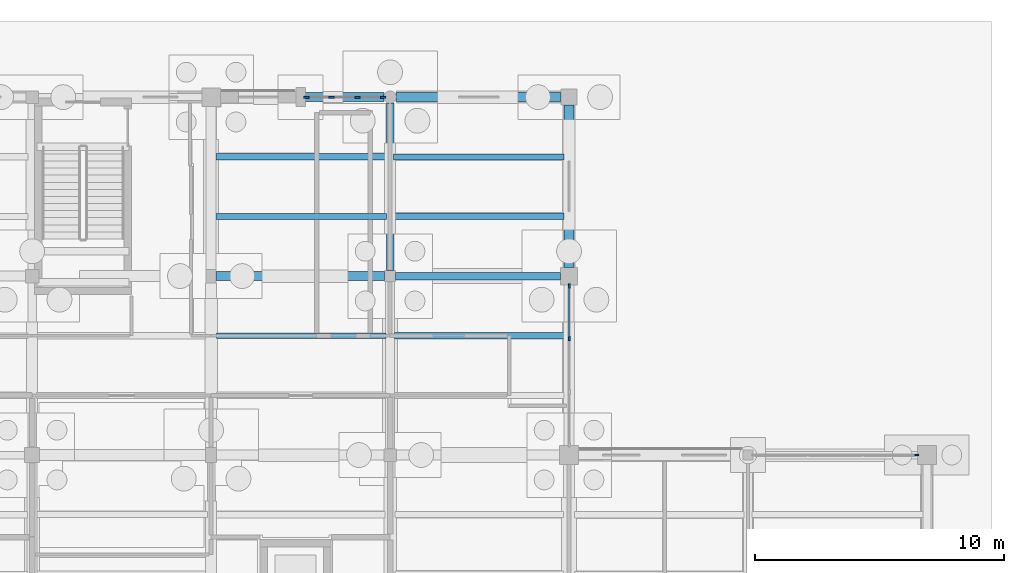
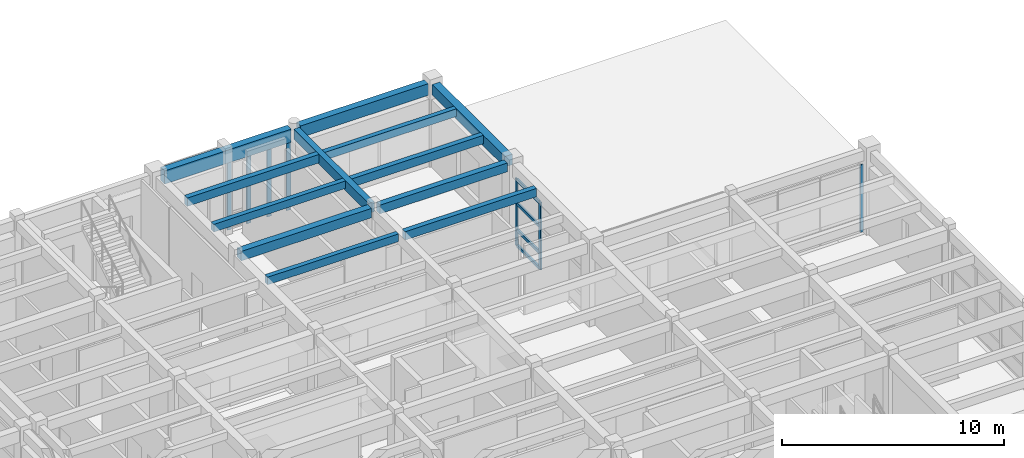
# One storey, part 75 of 143: 12 beams, 11 members, 3 elements without a shape of their own.
"""IFC4 building model written with IfcOpenShell, lengths in metres."""

from ifc_helpers import new_model, si_unit, direction, frame, origin, origin_2d, place, context, subcontext, project, spatial, rectangle, extrude, material, material_profile, profile_set, type_object, element, aggregate, save


model = new_model("IFC4")

# Units and contexts
model_context = context("Model", 3, precision=1e-05, world=origin(), true_north=direction((0.0, 1.0)))
body_context = subcontext(model_context, "Body", "Model", "MODEL_VIEW")
ifc_project = project(units=[si_unit("LENGTHUNIT", "METRE"), si_unit("AREAUNIT", "SQUARE_METRE"), si_unit("VOLUMEUNIT", "CUBIC_METRE"), si_unit("PLANEANGLEUNIT", "RADIAN"), si_unit("MASSUNIT", "GRAM", prefix="KILO")], contexts=[model_context])

# Site, building, storey
site_placement = place(None, origin())
site = spatial("IfcSite", under=ifc_project, at=site_placement, CompositionType="ELEMENT")
building_placement = place(site_placement, origin())
building = spatial("IfcBuilding", under=site, at=building_placement, Name="Steenspoor Specialist Clinic", CompositionType="ELEMENT")
storey_placement = place(building_placement, origin())
storey = spatial("IfcBuildingStorey", under=building, at=storey_placement, Name="L00", CompositionType="ELEMENT", Elevation=0.0)

# Beams
ifc_material_1 = material(Name="Concrete C35/45", Category="concrete")
ifc_material_profile_1 = material_profile(ifc_material_1, rectangle(XDim=0.300048828125, YDim=0.47998046875, at=origin_2d()), Name="RC-BM-300X480")
ifc_profile_set_1 = profile_set([ifc_material_profile_1], Name="Concrete C35/45")
beam_type_1 = type_object("IfcBeamType", Name="BM-RC-300X480", PredefinedType="BEAM", material=ifc_profile_set_1)
beam_1_placement = place(storey_placement, frame((139.820068359375, 101.14990234375, 4.280029296875), z_axis=(1.0, 0.0, 0.0), x_axis=(0.0, 1.0, 0.0)))
element("IfcBeam", 1, at=beam_1_placement, inside=storey, type_object=beam_type_1, Name="BM-V6-L00-X1386", PredefinedType="BEAM", context=body_context, shape_type="SweptSolid", body=[
    extrude(rectangle(XDim=0.300048828125, YDim=0.47998046875, at=origin_2d()), origin(), (0.0, 0.0, 1.0), 6.635009765625),
])
ifc_material_profile_2 = material_profile(ifc_material_1, rectangle(XDim=0.300048828125, YDim=0.550048828125, at=origin_2d()), Name="RC-BM-300X550")
ifc_profile_set_2 = profile_set([ifc_material_profile_2], Name="Concrete C35/45")
beam_type_2 = type_object("IfcBeamType", Name="BM-RC-300X550", PredefinedType="BEAM", material=ifc_profile_set_2)
beam_2_placement = place(storey_placement, frame((139.60009765625, 101.3701171875, 4.2451171875), z_axis=(0.0, 1.0, 0.0), x_axis=(-1.0, 0.0, 0.0)))
element("IfcBeam", 2, at=beam_2_placement, inside=storey, type_object=beam_type_2, Name="BM-V6-L00-Y1413", PredefinedType="BEAM", context=body_context, shape_type="SweptSolid", body=[
    extrude(rectangle(XDim=0.300048828125, YDim=0.550048828125, at=origin_2d()), origin(), (0.0, 0.0, 1.0), 6.73486328125),
])
ifc_material_profile_3 = material_profile(ifc_material_1, rectangle(XDim=0.35009765625, YDim=0.52001953125, at=origin_2d()), Name="RC-BM-350X520")
ifc_profile_set_3 = profile_set([ifc_material_profile_3], Name="Concrete C35/45")
beam_type_3 = type_object("IfcBeamType", Name="BM-RC-350X520", PredefinedType="BEAM", material=ifc_profile_set_3)
beam_3_placement = place(storey_placement, frame((132.594970703125, 101.14990234375, 4.260009765625), z_axis=(1.0, 0.0, 0.0), x_axis=(0.0, 1.0, 0.0)))
element("IfcBeam", 3, at=beam_3_placement, inside=storey, type_object=beam_type_3, Name="BM-V6-L00-X1385", PredefinedType="BEAM", context=body_context, shape_type="SweptSolid", body=[
    extrude(rectangle(XDim=0.35009765625, YDim=0.52001953125, at=origin_2d()), origin(), (0.0, 0.0, 1.0), 6.784912109375),
])
ifc_material_profile_4 = material_profile(ifc_material_1, rectangle(XDim=0.39990234375, YDim=0.580078125, at=origin_2d()), Name="RC-BM-400X580")
ifc_profile_set_4 = profile_set([ifc_material_profile_4], Name="Concrete C35/45")
beam_type_4 = type_object("IfcBeamType", Name="BM-RC-400X580", PredefinedType="BEAM", material=ifc_profile_set_4)
beam_4_placement = place(storey_placement, frame((146.800048828125, 101.4951171875, 4.22998046875), z_axis=(0.0, 1.0, 0.0), x_axis=(-1.0, 0.0, 0.0)))
element("IfcBeam", 4, at=beam_4_placement, inside=storey, type_object=beam_type_4, Name="BM-V6-L00-Y1419", PredefinedType="BEAM", context=body_context, shape_type="SweptSolid", body=[
    extrude(rectangle(XDim=0.39990234375, YDim=0.580078125, at=origin_2d()), origin(), (0.0, 0.0, 1.0), 6.534912109375),
])

# Curtain wall, member
ifc_material_2 = material(Name="Thermally broken aluminium and low-emissivity glass", Category="aluminium")
curtain_wall_type_1 = type_object("IfcCurtainWallType", Name="CW-HALL-650X820", PredefinedType="USERDEFINED", material=ifc_material_2)
curtain_wall_1_placement = place(storey_placement, origin())
curtain_wall_1 = element("IfcCurtainWall", 5, at=curtain_wall_1_placement, inside=storey, type_object=curtain_wall_type_1, Name="Unitised Curtain Wall CW-V6-L00-170", ObjectType="UNITISED GLAZING", PredefinedType="USERDEFINED")
ifc_material_3 = material(Name="Thermally broken aluminium 6063-T6", Category="aluminium")
ifc_material_profile_5 = material_profile(ifc_material_3, rectangle(XDim=0.070068359375, YDim=0.1650390625, at=origin_2d()), Name="CWM-70X165")
ifc_profile_set_5 = profile_set([ifc_material_profile_5], Name="Thermally broken aluminium 6063-T6")
member_type_1 = type_object("IfcMemberType", Name="CW-MULL-70X165", PredefinedType="MULLION", material=ifc_profile_set_5)
member_1_placement = place(storey_placement, frame((160.7900390625, 93.949951171875, 0.0), z_axis=(0.0, 0.0, 1.0), x_axis=(0.0, 1.0, 0.0)))
member_1 = element("IfcMember", 6, at=member_1_placement, type_object=member_type_1, Name="CW-02 mullion 4", PredefinedType="MULLION", context=body_context, shape_type="SweptSolid", body=[
    extrude(rectangle(XDim=0.070068359375, YDim=0.1650390625, at=origin_2d()), origin(), (0.0, 0.0, 1.0), 3.699951171875),
])
aggregate(curtain_wall_1, [member_1])

# Curtain wall, members
curtain_wall_type_2 = type_object("IfcCurtainWallType", Name="CW-HALL-660X820", PredefinedType="USERDEFINED", material=ifc_material_2)
curtain_wall_2_placement = place(storey_placement, origin())
curtain_wall_2 = element("IfcCurtainWall", 7, at=curtain_wall_2_placement, inside=storey, type_object=curtain_wall_type_2, Name="Unitised Curtain Wall CW-V6-L00-169", ObjectType="UNITISED GLAZING", PredefinedType="USERDEFINED")
ifc_material_profile_6 = material_profile(ifc_material_3, rectangle(XDim=0.080078125, YDim=0.179931640625, at=origin_2d()), Name="CWM-80X180")
ifc_profile_set_6 = profile_set([ifc_material_profile_6], Name="Thermally broken aluminium 6063-T6")
member_type_2 = type_object("IfcMemberType", Name="CW-MULL-80X180", PredefinedType="MULLION", material=ifc_profile_set_6)
member_2_placement = place(storey_placement, frame((146.800048828125, 100.760009765625, 0.0), z_axis=(0.0, 0.0, 1.0), x_axis=(1.0, 0.0, 0.0)))
member_2 = element("IfcMember", 8, at=member_2_placement, type_object=member_type_2, Name="CW-01 mullion 1", PredefinedType="MULLION", context=body_context, shape_type="SweptSolid", body=[
    extrude(rectangle(XDim=0.080078125, YDim=0.179931640625, at=origin_2d()), origin(), (0.0, 0.0, 1.0), 3.699951171875),
])
member_3_placement = place(storey_placement, frame((146.800048828125, 98.6416015625, 0.0), z_axis=(0.0, 0.0, 1.0), x_axis=(1.0, 0.0, 0.0)))
member_3 = element("IfcMember", 9, at=member_3_placement, type_object=member_type_2, Name="CW-01 mullion 2", PredefinedType="MULLION", context=body_context, shape_type="SweptSolid", body=[
    extrude(rectangle(XDim=0.080078125, YDim=0.179931640625, at=origin_2d()), origin(), (0.0, 0.0, 1.0), 3.699951171875),
])

curtain_wall_type_3 = type_object("IfcCurtainWallType", Name="CW-STR-220X415", PredefinedType="USERDEFINED", material=ifc_material_2)
curtain_wall_3_placement = place(storey_placement, origin())
curtain_wall_3 = element("IfcCurtainWall", 10, at=curtain_wall_3_placement, inside=storey, type_object=curtain_wall_type_3, Name="Unitised Curtain Wall CW-V6-L00-168", ObjectType="UNITISED GLAZING", PredefinedType="USERDEFINED")
ifc_material_profile_7 = material_profile(ifc_material_3, rectangle(XDim=0.080078125, YDim=0.219970703125, at=origin_2d()), Name="CWM-80X220")
ifc_profile_set_7 = profile_set([ifc_material_profile_7], Name="Thermally broken aluminium 6063-T6")
member_type_3 = type_object("IfcMemberType", Name="CW-MULL-80X220", PredefinedType="MULLION", material=ifc_profile_set_7)
member_4_placement = place(storey_placement, frame((136.22998046875, 108.35009765625, 0.0), z_axis=(0.0, 0.0, 1.0), x_axis=(0.0, 1.0, 0.0)))
member_4 = element("IfcMember", 11, at=member_4_placement, type_object=member_type_3, Name="CW-24 mullion 1", PredefinedType="MULLION", context=body_context, shape_type="SweptSolid", body=[
    extrude(rectangle(XDim=0.080078125, YDim=0.219970703125, at=origin_2d()), origin(), (0.0, 0.0, 1.0), 3.699951171875),
])
member_5_placement = place(storey_placement, frame((137.243408203125, 108.35009765625, 0.0), z_axis=(0.0, 0.0, 1.0), x_axis=(0.0, 1.0, 0.0)))
member_5 = element("IfcMember", 12, at=member_5_placement, type_object=member_type_3, Name="CW-24 mullion 2", PredefinedType="MULLION", context=body_context, shape_type="SweptSolid", body=[
    extrude(rectangle(XDim=0.080078125, YDim=0.219970703125, at=origin_2d()), origin(), (0.0, 0.0, 1.0), 3.699951171875),
])
member_6_placement = place(storey_placement, frame((138.296630859375, 108.35009765625, 0.0), z_axis=(0.0, 0.0, 1.0), x_axis=(0.0, 1.0, 0.0)))
member_6 = element("IfcMember", 13, at=member_6_placement, type_object=member_type_3, Name="CW-24 mullion 3", PredefinedType="MULLION", context=body_context, shape_type="SweptSolid", body=[
    extrude(rectangle(XDim=0.080078125, YDim=0.219970703125, at=origin_2d()), origin(), (0.0, 0.0, 1.0), 3.699951171875),
])
member_7_placement = place(storey_placement, frame((139.31005859375, 108.35009765625, 0.0), z_axis=(0.0, 0.0, 1.0), x_axis=(0.0, 1.0, 0.0)))
member_7 = element("IfcMember", 14, at=member_7_placement, type_object=member_type_3, Name="CW-24 mullion 4", PredefinedType="MULLION", context=body_context, shape_type="SweptSolid", body=[
    extrude(rectangle(XDim=0.080078125, YDim=0.219970703125, at=origin_2d()), origin(), (0.0, 0.0, 1.0), 3.699951171875),
])
aggregate(curtain_wall_3, [member_4, member_5, member_6, member_7])

# Member
ifc_material_profile_8 = material_profile(ifc_material_3, rectangle(XDim=0.090087890625, YDim=0.175048828125, at=origin_2d()), Name="CWT-90X175")
ifc_profile_set_8 = profile_set([ifc_material_profile_8], Name="Thermally broken aluminium 6063-T6")
member_type_4 = type_object("IfcMemberType", Name="CW-TRAN-90X175", PredefinedType="USERDEFINED", material=ifc_profile_set_8)
member_8_placement = place(storey_placement, frame((146.800048828125, 100.719970703125, 0.044921875), z_axis=(0.0, -1.0, 0.0), x_axis=(1.0, 0.0, 0.0)))
member_8 = element("IfcMember", 15, at=member_8_placement, type_object=member_type_4, Name="CW-01 transom 1.1", ObjectType="TRANSOM", PredefinedType="USERDEFINED", context=body_context, shape_type="SweptSolid", body=[
    extrude(rectangle(XDim=0.090087890625, YDim=0.175048828125, at=origin_2d()), origin(), (0.0, 0.0, 1.0), 2.038330078125),
])

member_9_placement = place(storey_placement, frame((146.800048828125, 100.719970703125, 0.89990234375), z_axis=(0.0, -1.0, 0.0), x_axis=(1.0, 0.0, 0.0)))
member_9 = element("IfcMember", 16, at=member_9_placement, type_object=member_type_4, Name="CW-01 transom 1.2", ObjectType="TRANSOM", PredefinedType="USERDEFINED", context=body_context, shape_type="SweptSolid", body=[
    extrude(rectangle(XDim=0.090087890625, YDim=0.175048828125, at=origin_2d()), origin(), (0.0, 0.0, 1.0), 2.038330078125),
])

member_10_placement = place(storey_placement, frame((146.800048828125, 100.719970703125, 2.35009765625), z_axis=(0.0, -1.0, 0.0), x_axis=(1.0, 0.0, 0.0)))
member_10 = element("IfcMember", 17, at=member_10_placement, type_object=member_type_4, Name="CW-01 transom 1.3", ObjectType="TRANSOM", PredefinedType="USERDEFINED", context=body_context, shape_type="SweptSolid", body=[
    extrude(rectangle(XDim=0.090087890625, YDim=0.175048828125, at=origin_2d()), origin(), (0.0, 0.0, 1.0), 2.038330078125),
])

member_11_placement = place(storey_placement, frame((146.800048828125, 100.719970703125, 3.655029296875), z_axis=(0.0, -1.0, 0.0), x_axis=(1.0, 0.0, 0.0)))
member_11 = element("IfcMember", 18, at=member_11_placement, type_object=member_type_4, Name="CW-01 transom 1.4", ObjectType="TRANSOM", PredefinedType="USERDEFINED", context=body_context, shape_type="SweptSolid", body=[
    extrude(rectangle(XDim=0.090087890625, YDim=0.175048828125, at=origin_2d()), origin(), (0.0, 0.0, 1.0), 2.038330078125),
])

aggregate(curtain_wall_2, [member_2, member_3, member_8, member_9, member_10, member_11])

# Beams
ifc_material_profile_9 = material_profile(ifc_material_1, rectangle(XDim=0.239990234375, YDim=0.419921875, at=origin_2d()), Name="RC-JT-240X420")
ifc_profile_set_9 = profile_set([ifc_material_profile_9], Name="Concrete C35/45")
beam_type_5 = type_object("IfcBeamType", Name="JT-RC-240X420", PredefinedType="JOIST", material=ifc_profile_set_9)
beam_5_placement = place(storey_placement, frame((132.6201171875, 98.75, 4.31005859375), z_axis=(1.0, 0.0, 0.0), x_axis=(0.0, 1.0, 0.0)))
element("IfcBeam", 19, at=beam_5_placement, inside=storey, type_object=beam_type_5, Name="JT-V6-L00-1454", PredefinedType="JOIST", context=body_context, shape_type="SweptSolid", body=[
    extrude(rectangle(XDim=0.239990234375, YDim=0.419921875, at=origin_2d()), origin(), (0.0, 0.0, 1.0), 6.809814453125),
])
beam_6_placement = place(storey_placement, frame((132.594970703125, 103.550048828125, 4.31005859375), z_axis=(1.0, 0.0, 0.0), x_axis=(0.0, 1.0, 0.0)))
element("IfcBeam", 20, at=beam_6_placement, inside=storey, type_object=beam_type_5, Name="JT-V6-L00-1455", PredefinedType="JOIST", context=body_context, shape_type="SweptSolid", body=[
    extrude(rectangle(XDim=0.239990234375, YDim=0.419921875, at=origin_2d()), origin(), (0.0, 0.0, 1.0), 6.860107421875),
])
beam_7_placement = place(storey_placement, frame((139.7451171875, 105.949951171875, 4.31005859375), z_axis=(1.0, 0.0, 0.0), x_axis=(0.0, 1.0, 0.0)))
element("IfcBeam", 21, at=beam_7_placement, inside=storey, type_object=beam_type_5, Name="JT-V6-L00-1466", PredefinedType="JOIST", context=body_context, shape_type="SweptSolid", body=[
    extrude(rectangle(XDim=0.239990234375, YDim=0.419921875, at=origin_2d()), origin(), (0.0, 0.0, 1.0), 6.85986328125),
])
ifc_material_profile_10 = material_profile(ifc_material_1, rectangle(XDim=0.260009765625, YDim=0.4599609375, at=origin_2d()), Name="RC-JT-260X460")
ifc_profile_set_10 = profile_set([ifc_material_profile_10], Name="Concrete C35/45")
beam_type_6 = type_object("IfcBeamType", Name="JT-RC-260X460", PredefinedType="JOIST", material=ifc_profile_set_10)
beam_8_placement = place(storey_placement, frame((132.594970703125, 105.949951171875, 4.2900390625), z_axis=(1.0, 0.0, 0.0), x_axis=(0.0, 1.0, 0.0)))
element("IfcBeam", 22, at=beam_8_placement, inside=storey, type_object=beam_type_6, Name="JT-V6-L00-1456", PredefinedType="JOIST", context=body_context, shape_type="SweptSolid", body=[
    extrude(rectangle(XDim=0.260009765625, YDim=0.4599609375, at=origin_2d()), origin(), (0.0, 0.0, 1.0), 6.860107421875),
])
beam_9_placement = place(storey_placement, frame((139.77001953125, 98.75, 4.2900390625), z_axis=(1.0, 0.0, 0.0), x_axis=(0.0, 1.0, 0.0)))
element("IfcBeam", 23, at=beam_9_placement, inside=storey, type_object=beam_type_6, Name="JT-V6-L00-1464", PredefinedType="JOIST", context=body_context, shape_type="SweptSolid", body=[
    extrude(rectangle(XDim=0.260009765625, YDim=0.4599609375, at=origin_2d()), origin(), (0.0, 0.0, 1.0), 6.8349609375),
])
beam_10_placement = place(storey_placement, frame((139.7451171875, 103.550048828125, 4.2900390625), z_axis=(1.0, 0.0, 0.0), x_axis=(0.0, 1.0, 0.0)))
element("IfcBeam", 24, at=beam_10_placement, inside=storey, type_object=beam_type_6, Name="JT-V6-L00-1465", PredefinedType="JOIST", context=body_context, shape_type="SweptSolid", body=[
    extrude(rectangle(XDim=0.260009765625, YDim=0.4599609375, at=origin_2d()), origin(), (0.0, 0.0, 1.0), 6.85986328125),
])
ifc_material_profile_11 = material_profile(ifc_material_1, rectangle(XDim=0.360107421875, YDim=0.639892578125, at=origin_2d()), Name="RC-SP-360X640")
ifc_profile_set_11 = profile_set([ifc_material_profile_11], Name="Concrete C35/45")
beam_type_7 = type_object("IfcBeamType", Name="SP-RC-360X640", PredefinedType="SPANDREL", material=ifc_profile_set_11)
beam_11_placement = place(storey_placement, frame((139.844970703125, 108.35009765625, 4.199951171875), z_axis=(1.0, 0.0, 0.0), x_axis=(0.0, 1.0, 0.0)))
element("IfcBeam", 25, at=beam_11_placement, inside=storey, type_object=beam_type_7, Name="BM-V6-L00-X1390", PredefinedType="SPANDREL", context=body_context, shape_type="SweptSolid", body=[
    extrude(rectangle(XDim=0.360107421875, YDim=0.639892578125, at=origin_2d()), origin(), (0.0, 0.0, 1.0), 6.635009765625),
])
ifc_material_profile_12 = material_profile(ifc_material_1, rectangle(XDim=0.360107421875, YDim=0.719970703125, at=origin_2d()), Name="RC-SP-360X720")
ifc_profile_set_12 = profile_set([ifc_material_profile_12], Name="Concrete C35/45")
beam_type_8 = type_object("IfcBeamType", Name="SP-RC-360X720", PredefinedType="SPANDREL", material=ifc_profile_set_12)
beam_12_placement = place(storey_placement, frame((132.77001953125, 108.35009765625, 4.159912109375), z_axis=(1.0, 0.0, 0.0), x_axis=(0.0, 1.0, 0.0)))
element("IfcBeam", 26, at=beam_12_placement, inside=storey, type_object=beam_type_8, Name="BM-V6-L00-X1389", PredefinedType="SPANDREL", context=body_context, shape_type="SweptSolid", body=[
    extrude(rectangle(XDim=0.360107421875, YDim=0.719970703125, at=origin_2d()), origin(), (0.0, 0.0, 1.0), 6.5849609375),
])

save(model, "model.ifc")
